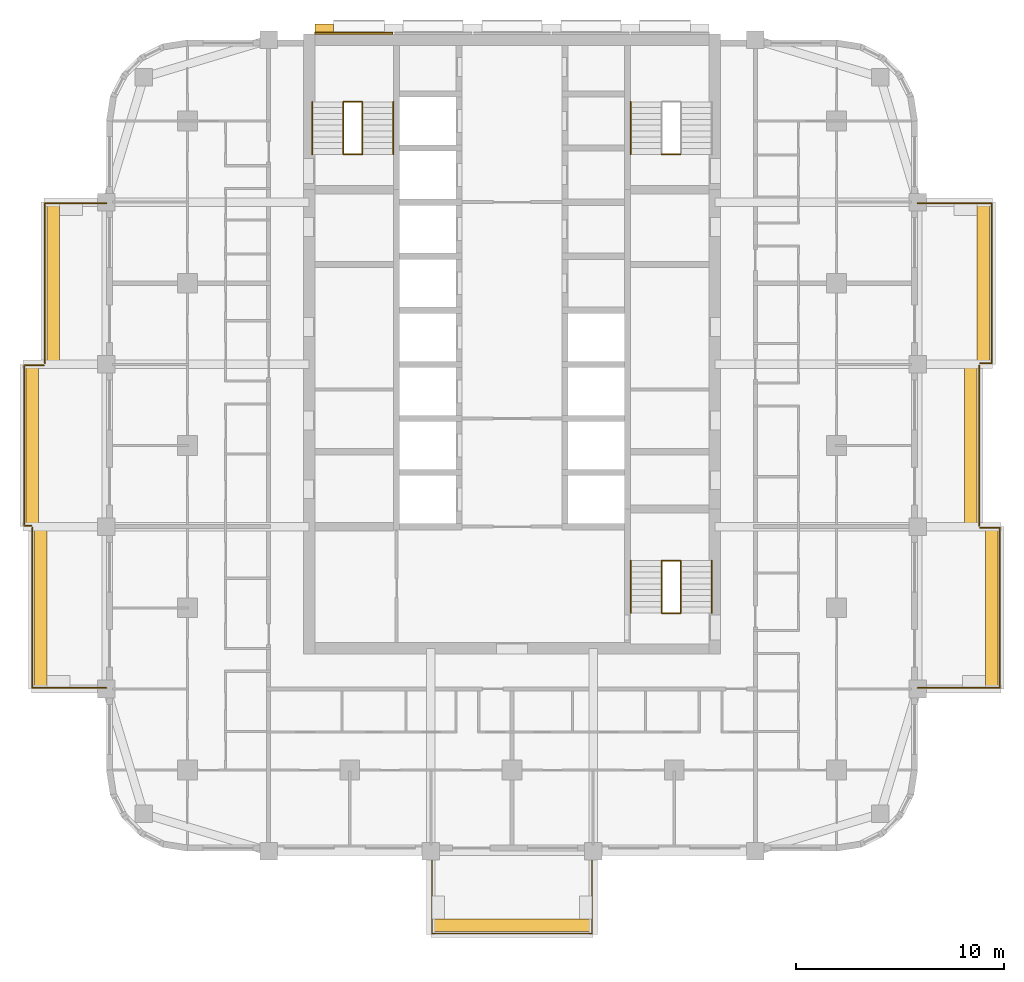
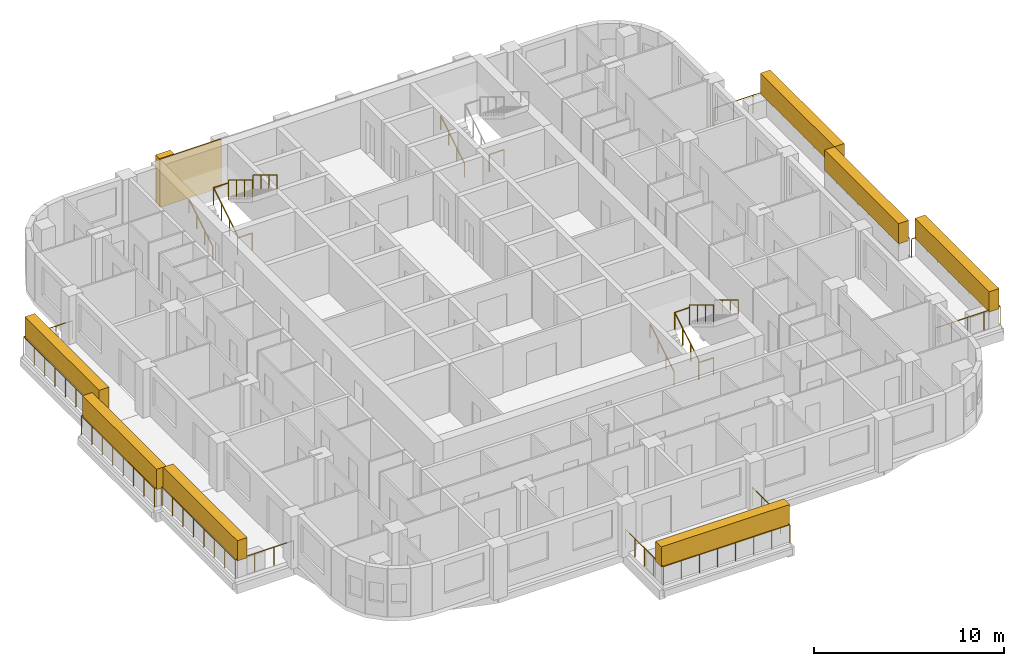
# One storey, part 13 of 14: 21 railings, 9 coverings, 3 elements without a shape of their own.
"""IFC4 building model written with IfcOpenShell, lengths in metres."""

import ifcopenshell
import ifcopenshell.guid

model = None  # the IFC model being written
_history = None  # IfcOwnerHistory: only IFC2X3 demands one
_inside = {}  # id of a spatial element -> (the spatial element, [elements in it])
_under = {}  # id of a project, library or spatial element -> (it, [spatial elements below it])
_declared = {}  # id of a project -> (the project, [libraries it declares])
_typed = {}  # id of a type object -> (the type object, [elements of that type])
_made_of = {}  # id of a material, layer set ... -> (it, [elements and type objects made of it])


def new_model(schema):
    """Start an empty IFC model of exactly this schema.

    Asked for "IFC4X3", IfcOpenShell would pick the latest addendum, in which some entities
    have other attributes; the version numbers below select the first issue.
    IFC2X3 requires an IfcOwnerHistory on every rooted entity: one is made here for all.
    """
    global model, _history
    if schema == "IFC4X3":
        model = ifcopenshell.file(schema_version=(4, 3, 0, 0))
    else:
        model = ifcopenshell.file(schema=schema)
    _inside.clear()
    _under.clear()
    _declared.clear()
    _typed.clear()
    _made_of.clear()
    _history = None
    if model.schema == "IFC2X3":
        org = make("IfcOrganization", Name="unknown")
        user = make(
            "IfcPersonAndOrganization",
            ThePerson=make("IfcPerson", FamilyName="unknown"),
            TheOrganization=org,
        )
        app = make(
            "IfcApplication",
            ApplicationDeveloper=org,
            Version="unknown",
            ApplicationFullName="unknown",
            ApplicationIdentifier="unknown",
        )
        _history = make(
            "IfcOwnerHistory",
            OwningUser=user,
            OwningApplication=app,
            ChangeAction="ADDED",
            CreationDate=0,
        )
    return model


def make(cls, **values):
    """One entity of the class cls with the attributes given. An attribute that is None is left unset."""
    return model.create_entity(
        cls, **{name: value for name, value in values.items() if value is not None}
    )


def rooted(cls, **values):
    """An entity with a GlobalId (a new one), such as an element, a storey or a relation."""
    return make(cls, GlobalId=ifcopenshell.guid.new(), OwnerHistory=_history, **values)


def si_unit(unit_type, name, prefix=None):
    """IfcSIUnit, for example si_unit("LENGTHUNIT", "METRE", prefix="MILLI")."""
    return make("IfcSIUnit", UnitType=unit_type, Prefix=prefix, Name=name)


def assignment(units):
    """IfcUnitAssignment: the units of a project."""
    return None if units is None else make("IfcUnitAssignment", Units=units)


def point(xyz):
    """IfcCartesianPoint."""
    return None if xyz is None else make("IfcCartesianPoint", Coordinates=xyz)


def direction(xyz):
    """IfcDirection."""
    return None if xyz is None else make("IfcDirection", DirectionRatios=xyz)


def frame(location, z_axis=None, x_axis=None):
    """IfcAxis2Placement3D, a coordinate frame: its origin and axes. An axis left out is left unset."""
    return make(
        "IfcAxis2Placement3D",
        Location=point(location),
        Axis=direction(z_axis),
        RefDirection=direction(x_axis),
    )


def frame_2d(location, x_axis=None):
    """IfcAxis2Placement2D, a coordinate frame in the plane: its origin and x axis."""
    return make(
        "IfcAxis2Placement2D", Location=point(location), RefDirection=direction(x_axis)
    )


def origin():
    """The frame at (0, 0, 0) with its axes left unset."""
    return frame((0.0, 0.0, 0.0))


def origin_2d():
    """The frame at (0, 0) in the plane with its x axis left unset."""
    return frame_2d((0.0, 0.0))


def place(relative_to, where):
    """IfcLocalPlacement: puts the frame where relative to a parent placement (None: the world)."""
    return make(
        "IfcLocalPlacement", PlacementRelTo=relative_to, RelativePlacement=where
    )


def context(
    kind, dimensions, precision=None, world=None, true_north=None, identifier=None
):
    """IfcGeometricRepresentationContext, for example the 3D "Model" context."""
    return make(
        "IfcGeometricRepresentationContext",
        ContextIdentifier=identifier,
        ContextType=kind,
        CoordinateSpaceDimension=dimensions,
        Precision=precision,
        WorldCoordinateSystem=world,
        TrueNorth=true_north,
    )


def subcontext(parent, identifier, kind, view, scale=None):
    """IfcGeometricRepresentationSubContext, for example "Body" below "Model"."""
    return make(
        "IfcGeometricRepresentationSubContext",
        ContextIdentifier=identifier,
        ContextType=kind,
        ParentContext=parent,
        TargetScale=scale,
        TargetView=view,
    )


def project(units=None, contexts=None):
    """IfcProject with its units and contexts."""
    return rooted(
        "IfcProject",
        Name="project",
        RepresentationContexts=contexts,
        UnitsInContext=assignment(units),
    )


def spatial(cls, under=None, at=None, **own):
    """A site, building, storey or space (cls), placed at a placement, below another one or the project."""
    s = rooted(cls, ObjectPlacement=at, **own)
    if under is not None:
        _under.setdefault(under.id(), (under, []))[1].append(s)
    return s


def profile(cls, at=None, kind="AREA", **sizes):
    """A parametric profile (cls). Its sizes go by their IFC names, for example OverallWidth=200.0."""
    return make(cls, ProfileType=kind, Position=at, **sizes)


def rectangle(**sizes):
    """IfcRectangleProfileDef."""
    return profile("IfcRectangleProfileDef", **sizes)


def circle(**sizes):
    """IfcCircleProfileDef."""
    return profile("IfcCircleProfileDef", **sizes)


def extrude(swept, where, along, depth):
    """IfcExtrudedAreaSolid: the profile swept, set in the frame where, extruded along a direction by depth."""
    return make(
        "IfcExtrudedAreaSolid",
        SweptArea=swept,
        Position=where,
        ExtrudedDirection=direction(along),
        Depth=depth,
    )


def shape(context_of_items, identifier, shape_type, items):
    """IfcShapeRepresentation: the items that make up one representation, for example the "Body"."""
    return make(
        "IfcShapeRepresentation",
        ContextOfItems=context_of_items,
        RepresentationIdentifier=identifier,
        RepresentationType=shape_type,
        Items=items,
    )


def material(Name=None, Category=None):
    """IfcMaterial."""
    return make("IfcMaterial", Name=Name, Category=Category)


def layer(
    of_material, thickness, ventilated=None, Name=None, Category=None, Priority=None
):
    """IfcMaterialLayer: one layer of a wall or slab, of a material (None: an air gap)."""
    return make(
        "IfcMaterialLayer",
        Material=of_material,
        LayerThickness=thickness,
        IsVentilated=ventilated,
        Name=Name,
        Category=Category,
        Priority=Priority,
    )


def layer_set(layers, Name=None):
    """IfcMaterialLayerSet."""
    return make("IfcMaterialLayerSet", MaterialLayers=layers, LayerSetName=Name)


def made_of(thing, what):
    """Note that an element or type object is made of a material, layer set ...; save() writes the relation."""
    if what is not None:
        _made_of.setdefault(what.id(), (what, []))[1].append(thing)
    return thing


def type_object(cls, material=None, **own):
    """A type object (cls), such as IfcWallType, which elements share."""
    return made_of(rooted(cls, **own), material)


def element(
    cls,
    number,
    at=None,
    inside=None,
    cuts=None,
    type_object=None,
    material=None,
    context=None,
    identifier="Body",
    shape_type=None,
    held_by="IfcProductDefinitionShape",
    body=None,
    shapes=None,
    **own,
):
    """One element of the class cls, such as IfcWall. Its Tag is "e" and its number.

    at: its placement. inside: the storey or other place that contains it. cuts: it is an
    opening in that element (IfcRelVoidsElement). A single representation is given by context,
    identifier, shape_type and body (its items); several are given by shapes. held_by: the class
    of the entity that holds the representations. save() writes the other relations.
    """
    e = rooted(cls, Tag="e%d" % number, ObjectPlacement=at, **own)
    if body is not None:
        shapes = [shape(context, identifier, shape_type, body)]
    if shapes is not None:
        e.Representation = make(held_by, Representations=shapes)
    if inside is not None:
        _inside.setdefault(inside.id(), (inside, []))[1].append(e)
    if cuts is not None:
        rooted(
            "IfcRelVoidsElement", RelatingBuildingElement=cuts, RelatedOpeningElement=e
        )
    if type_object is not None:
        _typed.setdefault(type_object.id(), (type_object, []))[1].append(e)
    return made_of(e, material)


def aggregate(whole, parts):
    """IfcRelAggregates: a whole, such as a stair, and the parts it consists of."""
    return rooted("IfcRelAggregates", RelatingObject=whole, RelatedObjects=parts)


def save(model, path):
    """Write the relations noted so far, then the file.

    IfcRelAggregates (storeys below a building ...), IfcRelContainedInSpatialStructure (elements
    in a storey), IfcRelDefinesByType, IfcRelAssociatesMaterial and IfcRelDeclares: one each for
    every whole, place, type object, material and project.
    """
    for whole, parts in _under.values():
        aggregate(whole, parts)
    for where, things in _inside.values():
        rooted(
            "IfcRelContainedInSpatialStructure",
            RelatedElements=things,
            RelatingStructure=where,
        )
    for kind, things in _typed.values():
        rooted("IfcRelDefinesByType", RelatedObjects=things, RelatingType=kind)
    for what, things in _made_of.values():
        rooted("IfcRelAssociatesMaterial", RelatedObjects=things, RelatingMaterial=what)
    for by, libraries in _declared.values():
        rooted("IfcRelDeclares", RelatingContext=by, RelatedDefinitions=libraries)
    model.write(path)


model = new_model("IFC4")

# Units and contexts
model_context = context("Model", 3, precision=1e-05, world=origin(), true_north=direction((0.0, 1.0)))
body_context = subcontext(model_context, "Body", "Model", "MODEL_VIEW")
ifc_project = project(units=[si_unit("LENGTHUNIT", "METRE"), si_unit("AREAUNIT", "SQUARE_METRE"), si_unit("VOLUMEUNIT", "CUBIC_METRE"), si_unit("PLANEANGLEUNIT", "RADIAN"), si_unit("MASSUNIT", "GRAM", prefix="KILO")], contexts=[model_context])

# Site, building, storey
site_placement = place(None, origin())
site = spatial("IfcSite", under=ifc_project, at=site_placement, CompositionType="ELEMENT")
building_placement = place(site_placement, origin())
building = spatial("IfcBuilding", under=site, at=building_placement, Name="Ludao Terraces", CompositionType="ELEMENT")
storey_placement = place(building_placement, frame((0.0, 0.0, 113.5)))
storey = spatial("IfcBuildingStorey", under=building, at=storey_placement, Name="L31", CompositionType="ELEMENT", Elevation=113.5)

# Railings
ifc_material_1 = material(Name="Stainless steel 304", Category="steel")
railing_type_1 = type_object("IfcRailingType", Name="ENV Balcony glass guard 1200", PredefinedType="GUARDRAIL", material=ifc_material_1)
railing_1_placement = place(storey_placement, frame((81.14990234375, 45.5, 0.0)))
element("IfcRailing", 1, at=railing_1_placement, inside=storey, type_object=railing_type_1, Name="Balcony guard L31 S1", PredefinedType="GUARDRAIL", context=body_context, shape_type="SweptSolid", body=[
    extrude(circle(Radius=0.02392578125, at=origin_2d()), frame((0.0, 0.0, 1.17578125), z_axis=(0.0, -1.0, 0.0), x_axis=(1.0, 0.0, 0.0)), (0.0, 0.0, 1.0), 3.949951171875),
    extrude(circle(Radius=0.02392578125, at=origin_2d()), frame((0.0, -3.949951171875, 1.17578125), z_axis=(1.0, 0.0, 0.0), x_axis=(0.0, 1.0, 0.0)), (0.0, 0.0, 1.0), 7.7001953125),
    extrude(circle(Radius=0.02392578125, at=origin_2d()), frame((7.7001953125, -3.949951171875, 1.17578125), z_axis=(0.0, 1.0, 0.0), x_axis=(-1.0, 0.0, 0.0)), (0.0, 0.0, 1.0), 3.949951171875),
    extrude(circle(Radius=0.02099609375, at=origin_2d()), origin(), (0.0, 0.0, 1.0), 1.15185546875),
    extrude(circle(Radius=0.02099609375, at=origin_2d()), frame((0.0, -0.987548828125, 0.0)), (0.0, 0.0, 1.0), 1.15185546875),
    extrude(circle(Radius=0.02099609375, at=origin_2d()), frame((0.0, -1.97509765625, 0.0)), (0.0, 0.0, 1.0), 1.15185546875),
    extrude(circle(Radius=0.02099609375, at=origin_2d()), frame((0.0, -2.96240234375, 0.0)), (0.0, 0.0, 1.0), 1.15185546875),
    extrude(circle(Radius=0.02099609375, at=origin_2d()), frame((0.0, -3.949951171875, 0.0)), (0.0, 0.0, 1.0), 1.15185546875),
    extrude(circle(Radius=0.02099609375, at=origin_2d()), frame((1.10009765625, -3.949951171875, 0.0)), (0.0, 0.0, 1.0), 1.15185546875),
    extrude(circle(Radius=0.02099609375, at=origin_2d()), frame((2.199951171875, -3.949951171875, 0.0)), (0.0, 0.0, 1.0), 1.15185546875),
    extrude(circle(Radius=0.02099609375, at=origin_2d()), frame((3.300048828125, -3.949951171875, 0.0)), (0.0, 0.0, 1.0), 1.15185546875),
    extrude(circle(Radius=0.02099609375, at=origin_2d()), frame((4.400146484375, -3.949951171875, 0.0)), (0.0, 0.0, 1.0), 1.15185546875),
    extrude(circle(Radius=0.02099609375, at=origin_2d()), frame((5.500244140625, -3.949951171875, 0.0)), (0.0, 0.0, 1.0), 1.15185546875),
    extrude(circle(Radius=0.02099609375, at=origin_2d()), frame((6.60009765625, -3.949951171875, 0.0)), (0.0, 0.0, 1.0), 1.15185546875),
    extrude(circle(Radius=0.02099609375, at=origin_2d()), frame((7.7001953125, -3.949951171875, 0.0)), (0.0, 0.0, 1.0), 1.15185546875),
    extrude(circle(Radius=0.02099609375, at=origin_2d()), frame((7.7001953125, -2.96240234375, 0.0)), (0.0, 0.0, 1.0), 1.15185546875),
    extrude(circle(Radius=0.02099609375, at=origin_2d()), frame((7.7001953125, -1.97509765625, 0.0)), (0.0, 0.0, 1.0), 1.15185546875),
    extrude(circle(Radius=0.02099609375, at=origin_2d()), frame((7.7001953125, -0.987548828125, 0.0)), (0.0, 0.0, 1.0), 1.15185546875),
    extrude(circle(Radius=0.02099609375, at=origin_2d()), frame((7.7001953125, 0.0, 0.0)), (0.0, 0.0, 1.0), 1.15185546875),
])
railing_2_placement = place(storey_placement, frame((104.5, 53.35009765625, 0.0)))
element("IfcRailing", 2, at=railing_2_placement, inside=storey, type_object=railing_type_1, Name="Balcony guard L31 E1", PredefinedType="GUARDRAIL", context=body_context, shape_type="SweptSolid", body=[
    extrude(circle(Radius=0.02392578125, at=origin_2d()), frame((0.0, 0.0, 1.17578125), z_axis=(1.0, 0.0, 0.0), x_axis=(0.0, 1.0, 0.0)), (0.0, 0.0, 1.0), 3.949951171875),
    extrude(circle(Radius=0.02392578125, at=origin_2d()), frame((3.949951171875, 0.0, 1.17578125), z_axis=(0.0, 1.0, 0.0), x_axis=(-1.0, 0.0, 0.0)), (0.0, 0.0, 1.0), 7.699951171875),
    extrude(circle(Radius=0.02392578125, at=origin_2d()), frame((3.949951171875, 7.699951171875, 1.17578125), z_axis=(-1.0, 0.0, 0.0), x_axis=(0.0, -1.0, 0.0)), (0.0, 0.0, 1.0), 0.949951171875),
    extrude(circle(Radius=0.02099609375, at=origin_2d()), origin(), (0.0, 0.0, 1.0), 1.15185546875),
    extrude(circle(Radius=0.02099609375, at=origin_2d()), frame((0.987548828125, 0.0, 0.0)), (0.0, 0.0, 1.0), 1.15185546875),
    extrude(circle(Radius=0.02099609375, at=origin_2d()), frame((1.97509765625, 0.0, 0.0)), (0.0, 0.0, 1.0), 1.15185546875),
    extrude(circle(Radius=0.02099609375, at=origin_2d()), frame((2.96240234375, 0.0, 0.0)), (0.0, 0.0, 1.0), 1.15185546875),
    extrude(circle(Radius=0.02099609375, at=origin_2d()), frame((3.949951171875, 0.0, 0.0)), (0.0, 0.0, 1.0), 1.15185546875),
    extrude(circle(Radius=0.02099609375, at=origin_2d()), frame((3.949951171875, 1.10009765625, 0.0)), (0.0, 0.0, 1.0), 1.15185546875),
    extrude(circle(Radius=0.02099609375, at=origin_2d()), frame((3.949951171875, 2.199951171875, 0.0)), (0.0, 0.0, 1.0), 1.15185546875),
    extrude(circle(Radius=0.02099609375, at=origin_2d()), frame((3.949951171875, 3.300048828125, 0.0)), (0.0, 0.0, 1.0), 1.15185546875),
    extrude(circle(Radius=0.02099609375, at=origin_2d()), frame((3.949951171875, 4.39990234375, 0.0)), (0.0, 0.0, 1.0), 1.15185546875),
    extrude(circle(Radius=0.02099609375, at=origin_2d()), frame((3.949951171875, 5.5, 0.0)), (0.0, 0.0, 1.0), 1.15185546875),
    extrude(circle(Radius=0.02099609375, at=origin_2d()), frame((3.949951171875, 6.599853515625, 0.0)), (0.0, 0.0, 1.0), 1.15185546875),
    extrude(circle(Radius=0.02099609375, at=origin_2d()), frame((3.949951171875, 7.699951171875, 0.0)), (0.0, 0.0, 1.0), 1.15185546875),
    extrude(circle(Radius=0.02099609375, at=origin_2d()), frame((3.0, 7.699951171875, 0.0)), (0.0, 0.0, 1.0), 1.15185546875),
])
railing_3_placement = place(storey_placement, frame((107.449951171875, 61.14990234375, 0.0)))
element("IfcRailing", 3, at=railing_3_placement, inside=storey, type_object=railing_type_1, Name="Balcony guard L31 E2", PredefinedType="GUARDRAIL", context=body_context, shape_type="SweptSolid", body=[
    extrude(circle(Radius=0.02392578125, at=origin_2d()), frame((0.0, 0.0, 1.17578125), z_axis=(0.0, 1.0, 0.0), x_axis=(-1.0, 0.0, 0.0)), (0.0, 0.0, 1.0), 7.7001953125),
    extrude(circle(Radius=0.02099609375, at=origin_2d()), origin(), (0.0, 0.0, 1.0), 1.15185546875),
    extrude(circle(Radius=0.02099609375, at=origin_2d()), frame((0.0, 1.10009765625, 0.0)), (0.0, 0.0, 1.0), 1.15185546875),
    extrude(circle(Radius=0.02099609375, at=origin_2d()), frame((0.0, 2.199951171875, 0.0)), (0.0, 0.0, 1.0), 1.15185546875),
    extrude(circle(Radius=0.02099609375, at=origin_2d()), frame((0.0, 3.300048828125, 0.0)), (0.0, 0.0, 1.0), 1.15185546875),
    extrude(circle(Radius=0.02099609375, at=origin_2d()), frame((0.0, 4.400146484375, 0.0)), (0.0, 0.0, 1.0), 1.15185546875),
    extrude(circle(Radius=0.02099609375, at=origin_2d()), frame((0.0, 5.500244140625, 0.0)), (0.0, 0.0, 1.0), 1.15185546875),
    extrude(circle(Radius=0.02099609375, at=origin_2d()), frame((0.0, 6.60009765625, 0.0)), (0.0, 0.0, 1.0), 1.15185546875),
    extrude(circle(Radius=0.02099609375, at=origin_2d()), frame((0.0, 7.7001953125, 0.0)), (0.0, 0.0, 1.0), 1.15185546875),
])
railing_4_placement = place(storey_placement, frame((107.5, 68.949951171875, 0.0)))
element("IfcRailing", 4, at=railing_4_placement, inside=storey, type_object=railing_type_1, Name="Balcony guard L31 E3", PredefinedType="GUARDRAIL", context=body_context, shape_type="SweptSolid", body=[
    extrude(circle(Radius=0.02392578125, at=origin_2d()), frame((0.0, 0.0, 1.17578125), z_axis=(1.0, 0.0, 0.0), x_axis=(0.0, 1.0, 0.0)), (0.0, 0.0, 1.0), 0.550048828125),
    extrude(circle(Radius=0.02392578125, at=origin_2d()), frame((0.550048828125, 0.0, 1.17578125), z_axis=(0.0, 1.0, 0.0), x_axis=(-1.0, 0.0, 0.0)), (0.0, 0.0, 1.0), 7.699951171875),
    extrude(circle(Radius=0.02392578125, at=origin_2d()), frame((0.550048828125, 7.699951171875, 1.17578125), z_axis=(-1.0, 0.0, 0.0), x_axis=(0.0, -1.0, 0.0)), (0.0, 0.0, 1.0), 3.550048828125),
    extrude(circle(Radius=0.02099609375, at=origin_2d()), origin(), (0.0, 0.0, 1.0), 1.15185546875),
    extrude(circle(Radius=0.02099609375, at=origin_2d()), frame((0.550048828125, 0.0, 0.0)), (0.0, 0.0, 1.0), 1.15185546875),
    extrude(circle(Radius=0.02099609375, at=origin_2d()), frame((0.550048828125, 1.10009765625, 0.0)), (0.0, 0.0, 1.0), 1.15185546875),
    extrude(circle(Radius=0.02099609375, at=origin_2d()), frame((0.550048828125, 2.199951171875, 0.0)), (0.0, 0.0, 1.0), 1.15185546875),
    extrude(circle(Radius=0.02099609375, at=origin_2d()), frame((0.550048828125, 3.300048828125, 0.0)), (0.0, 0.0, 1.0), 1.15185546875),
    extrude(circle(Radius=0.02099609375, at=origin_2d()), frame((0.550048828125, 4.39990234375, 0.0)), (0.0, 0.0, 1.0), 1.15185546875),
    extrude(circle(Radius=0.02099609375, at=origin_2d()), frame((0.550048828125, 5.5, 0.0)), (0.0, 0.0, 1.0), 1.15185546875),
    extrude(circle(Radius=0.02099609375, at=origin_2d()), frame((0.550048828125, 6.599853515625, 0.0)), (0.0, 0.0, 1.0), 1.15185546875),
    extrude(circle(Radius=0.02099609375, at=origin_2d()), frame((0.550048828125, 7.699951171875, 0.0)), (0.0, 0.0, 1.0), 1.15185546875),
    extrude(circle(Radius=0.02099609375, at=origin_2d()), frame((-0.63330078125, 7.699951171875, 0.0)), (0.0, 0.0, 1.0), 1.15185546875),
    extrude(circle(Radius=0.02099609375, at=origin_2d()), frame((-1.816650390625, 7.699951171875, 0.0)), (0.0, 0.0, 1.0), 1.15185546875),
    extrude(circle(Radius=0.02099609375, at=origin_2d()), frame((-3.0, 7.699951171875, 0.0)), (0.0, 0.0, 1.0), 1.15185546875),
])
railing_5_placement = place(storey_placement, frame((65.5, 53.35009765625, 0.0)))
element("IfcRailing", 5, at=railing_5_placement, inside=storey, type_object=railing_type_1, Name="Balcony guard L31 W1", PredefinedType="GUARDRAIL", context=body_context, shape_type="SweptSolid", body=[
    extrude(circle(Radius=0.02392578125, at=origin_2d()), frame((0.0, 0.0, 1.17578125), z_axis=(-1.0, 0.0, 0.0), x_axis=(0.0, -1.0, 0.0)), (0.0, 0.0, 1.0), 3.550048828125),
    extrude(circle(Radius=0.02392578125, at=origin_2d()), frame((-3.550048828125, 0.0, 1.17578125), z_axis=(0.0, 1.0, 0.0), x_axis=(-1.0, 0.0, 0.0)), (0.0, 0.0, 1.0), 7.699951171875),
    extrude(circle(Radius=0.02099609375, at=origin_2d()), origin(), (0.0, 0.0, 1.0), 1.15185546875),
    extrude(circle(Radius=0.02099609375, at=origin_2d()), frame((-1.183349609375, 0.0, 0.0)), (0.0, 0.0, 1.0), 1.15185546875),
    extrude(circle(Radius=0.02099609375, at=origin_2d()), frame((-2.36669921875, 0.0, 0.0)), (0.0, 0.0, 1.0), 1.15185546875),
    extrude(circle(Radius=0.02099609375, at=origin_2d()), frame((-3.550048828125, 0.0, 0.0)), (0.0, 0.0, 1.0), 1.15185546875),
    extrude(circle(Radius=0.02099609375, at=origin_2d()), frame((-3.550048828125, 1.10009765625, 0.0)), (0.0, 0.0, 1.0), 1.15185546875),
    extrude(circle(Radius=0.02099609375, at=origin_2d()), frame((-3.550048828125, 2.199951171875, 0.0)), (0.0, 0.0, 1.0), 1.15185546875),
    extrude(circle(Radius=0.02099609375, at=origin_2d()), frame((-3.550048828125, 3.300048828125, 0.0)), (0.0, 0.0, 1.0), 1.15185546875),
    extrude(circle(Radius=0.02099609375, at=origin_2d()), frame((-3.550048828125, 4.39990234375, 0.0)), (0.0, 0.0, 1.0), 1.15185546875),
    extrude(circle(Radius=0.02099609375, at=origin_2d()), frame((-3.550048828125, 5.5, 0.0)), (0.0, 0.0, 1.0), 1.15185546875),
    extrude(circle(Radius=0.02099609375, at=origin_2d()), frame((-3.550048828125, 6.599853515625, 0.0)), (0.0, 0.0, 1.0), 1.15185546875),
    extrude(circle(Radius=0.02099609375, at=origin_2d()), frame((-3.550048828125, 7.699951171875, 0.0)), (0.0, 0.0, 1.0), 1.15185546875),
])
railing_6_placement = place(storey_placement, frame((61.89990234375, 61.14990234375, 0.0)))
element("IfcRailing", 6, at=railing_6_placement, inside=storey, type_object=railing_type_1, Name="Balcony guard L31 W2", PredefinedType="GUARDRAIL", context=body_context, shape_type="SweptSolid", body=[
    extrude(circle(Radius=0.02392578125, at=origin_2d()), frame((0.0, 0.0, 1.17578125), z_axis=(-1.0, 0.0, 0.0), x_axis=(0.0, -1.0, 0.0)), (0.0, 0.0, 1.0), 0.349853515625),
    extrude(circle(Radius=0.02392578125, at=origin_2d()), frame((-0.349853515625, 0.0, 1.17578125), z_axis=(0.0, 1.0, 0.0), x_axis=(-1.0, 0.0, 0.0)), (0.0, 0.0, 1.0), 7.7001953125),
    extrude(circle(Radius=0.02392578125, at=origin_2d()), frame((-0.349853515625, 7.7001953125, 1.17578125), z_axis=(1.0, 0.0, 0.0), x_axis=(0.0, 1.0, 0.0)), (0.0, 0.0, 1.0), 0.949951171875),
    extrude(circle(Radius=0.02099609375, at=origin_2d()), origin(), (0.0, 0.0, 1.0), 1.15185546875),
    extrude(circle(Radius=0.02099609375, at=origin_2d()), frame((-0.349853515625, 0.0, 0.0)), (0.0, 0.0, 1.0), 1.15185546875),
    extrude(circle(Radius=0.02099609375, at=origin_2d()), frame((-0.349853515625, 1.10009765625, 0.0)), (0.0, 0.0, 1.0), 1.15185546875),
    extrude(circle(Radius=0.02099609375, at=origin_2d()), frame((-0.349853515625, 2.199951171875, 0.0)), (0.0, 0.0, 1.0), 1.15185546875),
    extrude(circle(Radius=0.02099609375, at=origin_2d()), frame((-0.349853515625, 3.300048828125, 0.0)), (0.0, 0.0, 1.0), 1.15185546875),
    extrude(circle(Radius=0.02099609375, at=origin_2d()), frame((-0.349853515625, 4.400146484375, 0.0)), (0.0, 0.0, 1.0), 1.15185546875),
    extrude(circle(Radius=0.02099609375, at=origin_2d()), frame((-0.349853515625, 5.500244140625, 0.0)), (0.0, 0.0, 1.0), 1.15185546875),
    extrude(circle(Radius=0.02099609375, at=origin_2d()), frame((-0.349853515625, 6.60009765625, 0.0)), (0.0, 0.0, 1.0), 1.15185546875),
    extrude(circle(Radius=0.02099609375, at=origin_2d()), frame((-0.349853515625, 7.7001953125, 0.0)), (0.0, 0.0, 1.0), 1.15185546875),
    extrude(circle(Radius=0.02099609375, at=origin_2d()), frame((0.60009765625, 7.7001953125, 0.0)), (0.0, 0.0, 1.0), 1.15185546875),
])
railing_7_placement = place(storey_placement, frame((62.550048828125, 68.949951171875, 0.0)))
element("IfcRailing", 7, at=railing_7_placement, inside=storey, type_object=railing_type_1, Name="Balcony guard L31 W3", PredefinedType="GUARDRAIL", context=body_context, shape_type="SweptSolid", body=[
    extrude(circle(Radius=0.02392578125, at=origin_2d()), frame((0.0, 0.0, 1.17578125), z_axis=(0.0, 1.0, 0.0), x_axis=(-1.0, 0.0, 0.0)), (0.0, 0.0, 1.0), 7.699951171875),
    extrude(circle(Radius=0.02392578125, at=origin_2d()), frame((0.0, 7.699951171875, 1.17578125), z_axis=(1.0, 0.0, 0.0), x_axis=(0.0, 1.0, 0.0)), (0.0, 0.0, 1.0), 2.949951171875),
    extrude(circle(Radius=0.02099609375, at=origin_2d()), origin(), (0.0, 0.0, 1.0), 1.15185546875),
    extrude(circle(Radius=0.02099609375, at=origin_2d()), frame((0.0, 1.10009765625, 0.0)), (0.0, 0.0, 1.0), 1.15185546875),
    extrude(circle(Radius=0.02099609375, at=origin_2d()), frame((0.0, 2.199951171875, 0.0)), (0.0, 0.0, 1.0), 1.15185546875),
    extrude(circle(Radius=0.02099609375, at=origin_2d()), frame((0.0, 3.300048828125, 0.0)), (0.0, 0.0, 1.0), 1.15185546875),
    extrude(circle(Radius=0.02099609375, at=origin_2d()), frame((0.0, 4.39990234375, 0.0)), (0.0, 0.0, 1.0), 1.15185546875),
    extrude(circle(Radius=0.02099609375, at=origin_2d()), frame((0.0, 5.5, 0.0)), (0.0, 0.0, 1.0), 1.15185546875),
    extrude(circle(Radius=0.02099609375, at=origin_2d()), frame((0.0, 6.599853515625, 0.0)), (0.0, 0.0, 1.0), 1.15185546875),
    extrude(circle(Radius=0.02099609375, at=origin_2d()), frame((0.0, 7.699951171875, 0.0)), (0.0, 0.0, 1.0), 1.15185546875),
    extrude(circle(Radius=0.02099609375, at=origin_2d()), frame((0.9833984375, 7.699951171875, 0.0)), (0.0, 0.0, 1.0), 1.15185546875),
    extrude(circle(Radius=0.02099609375, at=origin_2d()), frame((1.966552734375, 7.699951171875, 0.0)), (0.0, 0.0, 1.0), 1.15185546875),
    extrude(circle(Radius=0.02099609375, at=origin_2d()), frame((2.949951171875, 7.699951171875, 0.0)), (0.0, 0.0, 1.0), 1.15185546875),
])

# Coverings
ifc_material_2 = material(Name="Granite cladding", Category="masonry")
ifc_layer_1 = layer(ifc_material_2, 0.39990234375)
ifc_layer_set_1 = layer_set([ifc_layer_1], Name="ENV Core pilaster stone 400")
covering_type_1 = type_object("IfcCoveringType", Name="ENV Core pilaster stone 400", PredefinedType="CLADDING", material=ifc_layer_set_1)
covering_1_placement = place(storey_placement, frame((75.97509765625, 85.054931640625, 0.0), z_axis=(0.0, 0.0, 1.0), x_axis=(1.0, 0.0, 0.0)))
element("IfcCovering", 8, at=covering_1_placement, inside=storey, type_object=covering_type_1, Name="CC-L31-PIL1", PredefinedType="CLADDING", context=body_context, shape_type="SweptSolid", body=[
    extrude(rectangle(XDim=0.89990234375, YDim=0.39990234375, at=origin_2d()), origin(), (0.0, 0.0, 1.0), 3.10009765625),
])
ifc_layer_2 = layer(ifc_material_2, 0.080078125)
ifc_layer_set_2 = layer_set([ifc_layer_2], Name="ENV Core stone cladding panel 80")
covering_type_2 = type_object("IfcCoveringType", Name="ENV Core stone cladding panel 80", PredefinedType="CLADDING", material=ifc_layer_set_2)
covering_2_placement = place(storey_placement, frame((77.39501953125, 84.81494140625, 0.0), z_axis=(0.0, 0.0, 1.0), x_axis=(1.0, 0.0, 0.0)))
element("IfcCovering", 9, at=covering_2_placement, inside=storey, type_object=covering_type_2, Name="CC-L31-CORE1", PredefinedType="CLADDING", context=body_context, shape_type="SweptSolid", body=[
    extrude(rectangle(XDim=3.739990234375, YDim=0.080078125, at=origin_2d()), origin(), (0.0, 0.0, 1.0), 3.10009765625),
])
ifc_material_3 = material(Name="Planting")
ifc_layer_3 = layer(ifc_material_3, 0.60009765625)
ifc_layer_set_3 = layer_set([ifc_layer_3], Name="ENV Planting hedge 600x1300")
covering_type_3 = type_object("IfcCoveringType", Name="ENV Planting hedge 600x1300", PredefinedType="USERDEFINED", material=ifc_layer_set_3)
covering_3_placement = place(storey_placement, frame((85.0, 41.949951171875, 1.10009765625), z_axis=(0.0, 0.0, 1.0), x_axis=(1.0, 0.0, 0.0)))
element("IfcCovering", 10, at=covering_3_placement, inside=storey, type_object=covering_type_3, Name="Planting hedge L31-S1", ObjectType="PLANTING", PredefinedType="USERDEFINED", context=body_context, shape_type="SweptSolid", body=[
    extrude(rectangle(XDim=7.800048828125, YDim=0.60009765625, at=origin_2d()), origin(), (0.0, 0.0, 1.0), 1.300048828125),
])
for number, where, z_axis, x_axis, name in (
    (11, (108.050048828125, 57.199951171875, 1.10009765625), (0.0, 0.0, 1.0), (1.0, 0.0, 0.0), "Planting hedge L31-E1"),
    (12, (107.050048828125, 65.0, 1.10009765625), (0.0, 0.0, 1.0), (1.0, 0.0, 0.0), "Planting hedge L31-E2"),
    (13, (107.64990234375, 72.800048828125, 1.10009765625), (0.0, 0.0, 1.0), (1.0, 0.0, 0.0), "Planting hedge L31-E3"),
    (14, (62.35009765625, 57.199951171875, 1.10009765625), (0.0, 0.0, 1.0), (1.0, 0.0, 0.0), "Planting hedge L31-W1"),
    (15, (61.949951171875, 65.0, 1.10009765625), (0.0, 0.0, 1.0), (1.0, 0.0, 0.0), "Planting hedge L31-W2"),
    (16, (62.949951171875, 72.800048828125, 1.10009765625), (0.0, 0.0, 1.0), (1.0, 0.0, 0.0), "Planting hedge L31-W3"),
):
    element("IfcCovering", number, at=place(storey_placement, frame(where, z_axis=z_axis, x_axis=x_axis)), inside=storey, type_object=covering_type_3, Name=name, ObjectType="PLANTING", PredefinedType="USERDEFINED", context=body_context, shape_type="SweptSolid", body=[
        extrude(rectangle(XDim=0.60009765625, YDim=7.800048828125, at=origin_2d()), origin(), (0.0, 0.0, 1.0), 1.300048828125),
    ])

# Stair, railings
ifc_material_4 = material(Name="Concrete C40", Category="concrete")
stair_type = type_object("IfcStairType", Name="INT Stair", PredefinedType="HALF_TURN_STAIR", material=ifc_material_4)
stair_1_placement = place(storey_placement, origin())
stair_1 = element("IfcStair", 17, at=stair_1_placement, inside=storey, type_object=stair_type, Name="EXIT STAIR 1", PredefinedType="HALF_TURN_STAIR")
railing_type_2 = type_object("IfcRailingType", Name="INT Stair guard 1100", PredefinedType="GUARDRAIL", material=ifc_material_1)
railing_8_placement = place(storey_placement, frame((76.89990234375, 79.0, 0.169921875)))
railing_8 = element("IfcRailing", 18, at=railing_8_placement, type_object=railing_type_2, Name="ST-L31-S1-R1G", PredefinedType="GUARDRAIL", context=body_context, shape_type="SweptSolid", body=[
    extrude(circle(Radius=0.02392578125, at=origin_2d()), frame((0.0, 0.0, 1.076171875), z_axis=(0.0, 0.85478489116, 0.518982456201), x_axis=(-1.0, 0.0, 0.0)), (0.0, 0.0, 1.0), 2.9482421875),
    extrude(circle(Radius=0.02099609375, at=origin_2d()), origin(), (0.0, 0.0, 1.0), 1.052001953125),
    extrude(circle(Radius=0.02099609375, at=origin_2d()), frame((0.0, 0.840087890625, 0.510009765625)), (0.0, 0.0, 1.0), 1.052001953125),
    extrude(circle(Radius=0.02099609375, at=origin_2d()), frame((0.0, 1.679931640625, 1.02001953125)), (0.0, 0.0, 1.0), 1.052001953125),
    extrude(circle(Radius=0.02099609375, at=origin_2d()), frame((0.0, 2.52001953125, 1.530029296875)), (0.0, 0.0, 1.0), 1.052001953125),
])
railing_9_placement = place(storey_placement, frame((77.800048828125, 81.52001953125, 1.8701171875)))
railing_9 = element("IfcRailing", 19, at=railing_9_placement, type_object=railing_type_2, Name="ST-L31-S1-R2G", PredefinedType="GUARDRAIL", context=body_context, shape_type="SweptSolid", body=[
    extrude(circle(Radius=0.02392578125, at=origin_2d()), frame((0.0, 0.0, 1.076171875), z_axis=(0.0, -0.854821627497, 0.518921945155), x_axis=(1.0, 0.0, 0.0)), (0.0, 0.0, 1.0), 2.947998046875),
    extrude(circle(Radius=0.02099609375, at=origin_2d()), origin(), (0.0, 0.0, 1.0), 1.052001953125),
    extrude(circle(Radius=0.02099609375, at=origin_2d()), frame((0.0, -0.840087890625, 0.510009765625)), (0.0, 0.0, 1.0), 1.052001953125),
    extrude(circle(Radius=0.02099609375, at=origin_2d()), frame((0.0, -1.679931640625, 1.019775390625)), (0.0, 0.0, 1.0), 1.052001953125),
    extrude(circle(Radius=0.02099609375, at=origin_2d()), frame((0.0, -2.52001953125, 1.52978515625)), (0.0, 0.0, 1.0), 1.052001953125),
])
railing_10_placement = place(storey_placement, frame((76.89990234375, 81.52001953125, 1.699951171875)))
railing_10 = element("IfcRailing", 20, at=railing_10_placement, type_object=railing_type_2, Name="ST-L31-S1-E1G", PredefinedType="GUARDRAIL", context=body_context, shape_type="SweptSolid", body=[
    extrude(circle(Radius=0.02392578125, at=origin_2d()), frame((0.0, 0.0, 1.076171875), z_axis=(1.0, 0.0, 0.0), x_axis=(0.0, 1.0, 0.0)), (0.0, 0.0, 1.0), 0.900146484375),
    extrude(circle(Radius=0.02099609375, at=origin_2d()), origin(), (0.0, 0.0, 1.0), 1.052001953125),
    extrude(circle(Radius=0.02099609375, at=origin_2d()), frame((0.900146484375, 0.0, 0.0)), (0.0, 0.0, 1.0), 1.052001953125),
])
railing_11_placement = place(storey_placement, frame((76.89990234375, 79.0, 0.0)))
railing_11 = element("IfcRailing", 21, at=railing_11_placement, type_object=railing_type_2, Name="ST-L31-S1-E2G", PredefinedType="GUARDRAIL", context=body_context, shape_type="SweptSolid", body=[
    extrude(circle(Radius=0.02392578125, at=origin_2d()), frame((0.0, 0.0, 1.076171875), z_axis=(1.0, 0.0, 0.0), x_axis=(0.0, 1.0, 0.0)), (0.0, 0.0, 1.0), 0.900146484375),
    extrude(circle(Radius=0.02099609375, at=origin_2d()), origin(), (0.0, 0.0, 1.0), 1.052001953125),
    extrude(circle(Radius=0.02099609375, at=origin_2d()), frame((0.900146484375, 0.0, 0.0)), (0.0, 0.0, 1.0), 1.052001953125),
])

# Stair, railing
stair_2_placement = place(storey_placement, origin())
stair_2 = element("IfcStair", 22, at=stair_2_placement, inside=storey, type_object=stair_type, Name="EXIT STAIR 2", PredefinedType="HALF_TURN_STAIR")
railing_12_placement = place(storey_placement, frame((92.199951171875, 79.0, 0.0)))
railing_12 = element("IfcRailing", 23, at=railing_12_placement, type_object=railing_type_2, Name="ST-L31-S2-E2G", PredefinedType="GUARDRAIL", context=body_context, shape_type="SweptSolid", body=[
    extrude(circle(Radius=0.02392578125, at=origin_2d()), frame((0.0, 0.0, 1.076171875), z_axis=(1.0, 0.0, 0.0), x_axis=(0.0, 1.0, 0.0)), (0.0, 0.0, 1.0), 0.900146484375),
    extrude(circle(Radius=0.02099609375, at=origin_2d()), origin(), (0.0, 0.0, 1.0), 1.052001953125),
    extrude(circle(Radius=0.02099609375, at=origin_2d()), frame((0.900146484375, 0.0, 0.0)), (0.0, 0.0, 1.0), 1.052001953125),
])

# Stair, railings
stair_3_placement = place(storey_placement, origin())
stair_3 = element("IfcStair", 24, at=stair_3_placement, inside=storey, type_object=stair_type, Name="EXIT STAIR 3", PredefinedType="HALF_TURN_STAIR")
railing_13_placement = place(storey_placement, frame((92.199951171875, 56.949951171875, 0.169921875)))
railing_13 = element("IfcRailing", 25, at=railing_13_placement, type_object=railing_type_2, Name="ST-L31-S3-R1G", PredefinedType="GUARDRAIL", context=body_context, shape_type="SweptSolid", body=[
    extrude(circle(Radius=0.02392578125, at=origin_2d()), frame((0.0, 0.0, 1.076171875), z_axis=(0.0, 0.85478489116, 0.518982456201), x_axis=(-1.0, 0.0, 0.0)), (0.0, 0.0, 1.0), 2.9482421875),
    extrude(circle(Radius=0.02099609375, at=origin_2d()), origin(), (0.0, 0.0, 1.0), 1.052001953125),
    extrude(circle(Radius=0.02099609375, at=origin_2d()), frame((0.0, 0.840087890625, 0.510009765625)), (0.0, 0.0, 1.0), 1.052001953125),
    extrude(circle(Radius=0.02099609375, at=origin_2d()), frame((0.0, 1.679931640625, 1.02001953125)), (0.0, 0.0, 1.0), 1.052001953125),
    extrude(circle(Radius=0.02099609375, at=origin_2d()), frame((0.0, 2.52001953125, 1.530029296875)), (0.0, 0.0, 1.0), 1.052001953125),
])
railing_14_placement = place(storey_placement, frame((93.10009765625, 59.469970703125, 1.8701171875)))
railing_14 = element("IfcRailing", 26, at=railing_14_placement, type_object=railing_type_2, Name="ST-L31-S3-R2G", PredefinedType="GUARDRAIL", context=body_context, shape_type="SweptSolid", body=[
    extrude(circle(Radius=0.02392578125, at=origin_2d()), frame((0.0, 0.0, 1.076171875), z_axis=(0.0, -0.854821627497, 0.518921945155), x_axis=(1.0, 0.0, 0.0)), (0.0, 0.0, 1.0), 2.947998046875),
    extrude(circle(Radius=0.02099609375, at=origin_2d()), origin(), (0.0, 0.0, 1.0), 1.052001953125),
    extrude(circle(Radius=0.02099609375, at=origin_2d()), frame((0.0, -0.840087890625, 0.510009765625)), (0.0, 0.0, 1.0), 1.052001953125),
    extrude(circle(Radius=0.02099609375, at=origin_2d()), frame((0.0, -1.679931640625, 1.019775390625)), (0.0, 0.0, 1.0), 1.052001953125),
    extrude(circle(Radius=0.02099609375, at=origin_2d()), frame((0.0, -2.52001953125, 1.52978515625)), (0.0, 0.0, 1.0), 1.052001953125),
])
railing_15_placement = place(storey_placement, frame((92.199951171875, 59.469970703125, 1.699951171875)))
railing_15 = element("IfcRailing", 27, at=railing_15_placement, type_object=railing_type_2, Name="ST-L31-S3-E1G", PredefinedType="GUARDRAIL", context=body_context, shape_type="SweptSolid", body=[
    extrude(circle(Radius=0.02392578125, at=origin_2d()), frame((0.0, 0.0, 1.076171875), z_axis=(1.0, 0.0, 0.0), x_axis=(0.0, 1.0, 0.0)), (0.0, 0.0, 1.0), 0.900146484375),
    extrude(circle(Radius=0.02099609375, at=origin_2d()), origin(), (0.0, 0.0, 1.0), 1.052001953125),
    extrude(circle(Radius=0.02099609375, at=origin_2d()), frame((0.900146484375, 0.0, 0.0)), (0.0, 0.0, 1.0), 1.052001953125),
])
railing_16_placement = place(storey_placement, frame((92.199951171875, 56.949951171875, 0.0)))
railing_16 = element("IfcRailing", 28, at=railing_16_placement, type_object=railing_type_2, Name="ST-L31-S3-E2G", PredefinedType="GUARDRAIL", context=body_context, shape_type="SweptSolid", body=[
    extrude(circle(Radius=0.02392578125, at=origin_2d()), frame((0.0, 0.0, 1.076171875), z_axis=(1.0, 0.0, 0.0), x_axis=(0.0, 1.0, 0.0)), (0.0, 0.0, 1.0), 0.900146484375),
    extrude(circle(Radius=0.02099609375, at=origin_2d()), origin(), (0.0, 0.0, 1.0), 1.052001953125),
    extrude(circle(Radius=0.02099609375, at=origin_2d()), frame((0.900146484375, 0.0, 0.0)), (0.0, 0.0, 1.0), 1.052001953125),
])

# Railing
railing_type_3 = type_object("IfcRailingType", Name="INT Stair handrail 900", PredefinedType="HANDRAIL", material=ifc_material_1)
railing_17_placement = place(storey_placement, frame((75.39990234375, 79.0, 0.169921875)))
railing_17 = element("IfcRailing", 29, at=railing_17_placement, type_object=railing_type_3, Name="ST-L31-S1-R1H", PredefinedType="HANDRAIL", context=body_context, shape_type="SweptSolid", body=[
    extrude(circle(Radius=0.02392578125, at=origin_2d()), frame((0.0, 0.0, 0.8759765625), z_axis=(0.0, 0.85478489116, 0.518982456201), x_axis=(-1.0, 0.0, 0.0)), (0.0, 0.0, 1.0), 2.9482421875),
    extrude(circle(Radius=0.02099609375, at=origin_2d()), origin(), (0.0, 0.0, 1.0), 0.851806640625),
    extrude(circle(Radius=0.02099609375, at=origin_2d()), frame((0.0, 0.840087890625, 0.510009765625)), (0.0, 0.0, 1.0), 0.851806640625),
    extrude(circle(Radius=0.02099609375, at=origin_2d()), frame((0.0, 1.679931640625, 1.02001953125)), (0.0, 0.0, 1.0), 0.851806640625),
    extrude(circle(Radius=0.02099609375, at=origin_2d()), frame((0.0, 2.52001953125, 1.530029296875)), (0.0, 0.0, 1.0), 0.851806640625),
])

railing_18_placement = place(storey_placement, frame((79.300048828125, 81.52001953125, 1.8701171875)))
railing_18 = element("IfcRailing", 30, at=railing_18_placement, type_object=railing_type_3, Name="ST-L31-S1-R2H", PredefinedType="HANDRAIL", context=body_context, shape_type="SweptSolid", body=[
    extrude(circle(Radius=0.02392578125, at=origin_2d()), frame((0.0, 0.0, 0.8759765625), z_axis=(0.0, -0.854821627497, 0.518921945155), x_axis=(1.0, 0.0, 0.0)), (0.0, 0.0, 1.0), 2.947998046875),
    extrude(circle(Radius=0.02099609375, at=origin_2d()), origin(), (0.0, 0.0, 1.0), 0.851806640625),
    extrude(circle(Radius=0.02099609375, at=origin_2d()), frame((0.0, -0.840087890625, 0.510009765625)), (0.0, 0.0, 1.0), 0.851806640625),
    extrude(circle(Radius=0.02099609375, at=origin_2d()), frame((0.0, -1.679931640625, 1.019775390625)), (0.0, 0.0, 1.0), 0.851806640625),
    extrude(circle(Radius=0.02099609375, at=origin_2d()), frame((0.0, -2.52001953125, 1.52978515625)), (0.0, 0.0, 1.0), 0.851806640625),
])

aggregate(stair_1, [railing_8, railing_17, railing_9, railing_18, railing_10, railing_11])

railing_19_placement = place(storey_placement, frame((90.699951171875, 79.0, 0.169921875)))
railing_19 = element("IfcRailing", 31, at=railing_19_placement, type_object=railing_type_3, Name="ST-L31-S2-R1H", PredefinedType="HANDRAIL", context=body_context, shape_type="SweptSolid", body=[
    extrude(circle(Radius=0.02392578125, at=origin_2d()), frame((0.0, 0.0, 0.8759765625), z_axis=(0.0, 0.85478489116, 0.518982456201), x_axis=(-1.0, 0.0, 0.0)), (0.0, 0.0, 1.0), 2.9482421875),
    extrude(circle(Radius=0.02099609375, at=origin_2d()), origin(), (0.0, 0.0, 1.0), 0.851806640625),
    extrude(circle(Radius=0.02099609375, at=origin_2d()), frame((0.0, 0.840087890625, 0.510009765625)), (0.0, 0.0, 1.0), 0.851806640625),
    extrude(circle(Radius=0.02099609375, at=origin_2d()), frame((0.0, 1.679931640625, 1.02001953125)), (0.0, 0.0, 1.0), 0.851806640625),
    extrude(circle(Radius=0.02099609375, at=origin_2d()), frame((0.0, 2.52001953125, 1.530029296875)), (0.0, 0.0, 1.0), 0.851806640625),
])

aggregate(stair_2, [railing_19, railing_12])

railing_20_placement = place(storey_placement, frame((90.699951171875, 56.949951171875, 0.169921875)))
railing_20 = element("IfcRailing", 32, at=railing_20_placement, type_object=railing_type_3, Name="ST-L31-S3-R1H", PredefinedType="HANDRAIL", context=body_context, shape_type="SweptSolid", body=[
    extrude(circle(Radius=0.02392578125, at=origin_2d()), frame((0.0, 0.0, 0.8759765625), z_axis=(0.0, 0.85478489116, 0.518982456201), x_axis=(-1.0, 0.0, 0.0)), (0.0, 0.0, 1.0), 2.9482421875),
    extrude(circle(Radius=0.02099609375, at=origin_2d()), origin(), (0.0, 0.0, 1.0), 0.851806640625),
    extrude(circle(Radius=0.02099609375, at=origin_2d()), frame((0.0, 0.840087890625, 0.510009765625)), (0.0, 0.0, 1.0), 0.851806640625),
    extrude(circle(Radius=0.02099609375, at=origin_2d()), frame((0.0, 1.679931640625, 1.02001953125)), (0.0, 0.0, 1.0), 0.851806640625),
    extrude(circle(Radius=0.02099609375, at=origin_2d()), frame((0.0, 2.52001953125, 1.530029296875)), (0.0, 0.0, 1.0), 0.851806640625),
])

railing_21_placement = place(storey_placement, frame((94.60009765625, 59.469970703125, 1.8701171875)))
railing_21 = element("IfcRailing", 33, at=railing_21_placement, type_object=railing_type_3, Name="ST-L31-S3-R2H", PredefinedType="HANDRAIL", context=body_context, shape_type="SweptSolid", body=[
    extrude(circle(Radius=0.02392578125, at=origin_2d()), frame((0.0, 0.0, 0.8759765625), z_axis=(0.0, -0.854821627497, 0.518921945155), x_axis=(1.0, 0.0, 0.0)), (0.0, 0.0, 1.0), 2.947998046875),
    extrude(circle(Radius=0.02099609375, at=origin_2d()), origin(), (0.0, 0.0, 1.0), 0.851806640625),
    extrude(circle(Radius=0.02099609375, at=origin_2d()), frame((0.0, -0.840087890625, 0.510009765625)), (0.0, 0.0, 1.0), 0.851806640625),
    extrude(circle(Radius=0.02099609375, at=origin_2d()), frame((0.0, -1.679931640625, 1.019775390625)), (0.0, 0.0, 1.0), 0.851806640625),
    extrude(circle(Radius=0.02099609375, at=origin_2d()), frame((0.0, -2.52001953125, 1.52978515625)), (0.0, 0.0, 1.0), 0.851806640625),
])

aggregate(stair_3, [railing_13, railing_20, railing_14, railing_21, railing_15, railing_16])

save(model, "model.ifc")
